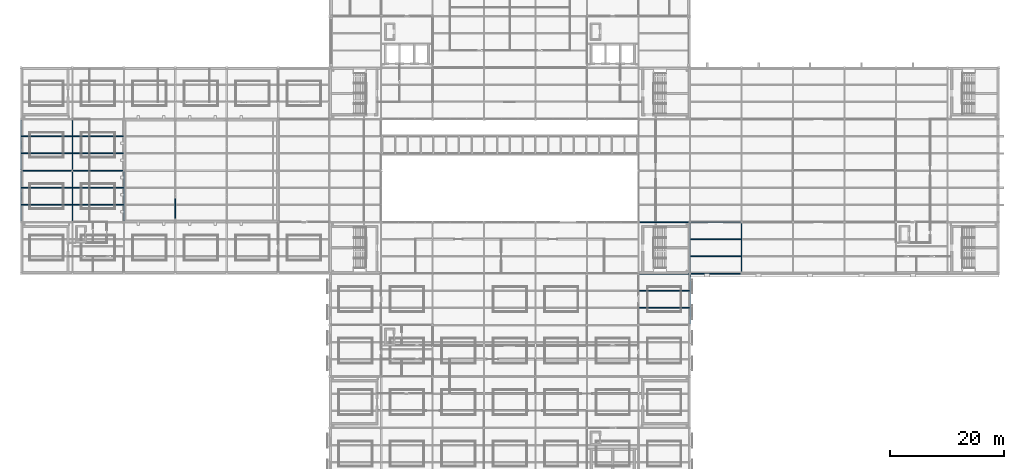
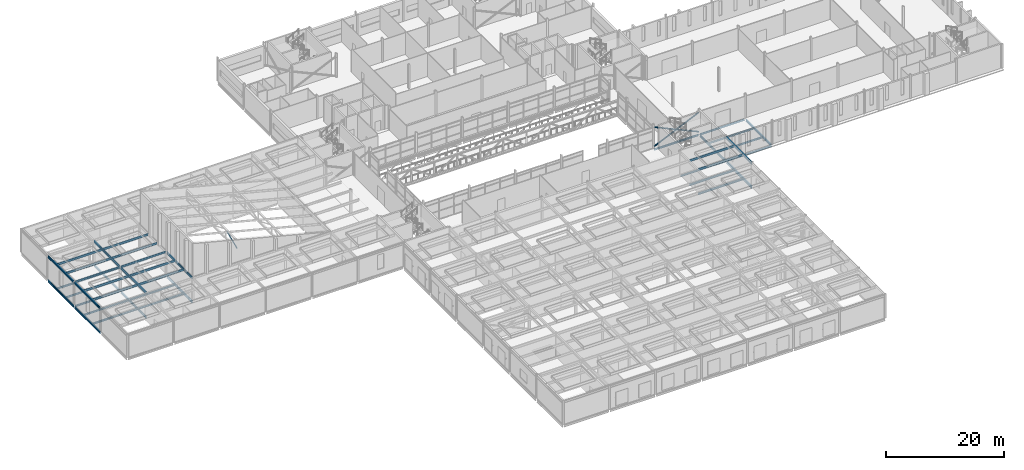
# One storey, part 35 of 115: 44 beams, 3 members.
"""IFC4 building model written with IfcOpenShell, lengths in metres."""

from ifc_helpers import new_model, si_unit, direction, frame, origin, origin_2d, place, context, subcontext, project, spatial, hollow_circle, i_section, extrude, material, material_profile, profile_set, type_object, element, save


model = new_model("IFC4")

# Units and contexts
model_context = context("Model", 3, precision=1e-05, world=origin(), true_north=direction((0.0, 1.0)))
body_context = subcontext(model_context, "Body", "Model", "MODEL_VIEW")
ifc_project = project(units=[si_unit("LENGTHUNIT", "METRE"), si_unit("AREAUNIT", "SQUARE_METRE"), si_unit("VOLUMEUNIT", "CUBIC_METRE"), si_unit("PLANEANGLEUNIT", "RADIAN"), si_unit("MASSUNIT", "GRAM", prefix="KILO")], contexts=[model_context])

# Site, building, storey
site_placement = place(None, origin())
site = spatial("IfcSite", under=ifc_project, at=site_placement, CompositionType="ELEMENT")
building_placement = place(site_placement, origin())
building = spatial("IfcBuilding", under=site, at=building_placement, Name="Shorebreak Coast Museum", CompositionType="ELEMENT")
storey_placement = place(building_placement, frame((0.0, 0.0, 11.0)))
storey = spatial("IfcBuildingStorey", under=building, at=storey_placement, Name="L02", CompositionType="ELEMENT", Elevation=11.0)

# Member
ifc_material_1 = material(Name="Steel Grade C350L0", Category="steel")
ifc_material_profile_1 = material_profile(ifc_material_1, hollow_circle(Radius=0.109619140625, WallThickness=0.00830078125, at=origin_2d()), Name="219.1x8.2 CHS")
ifc_profile_set_1 = profile_set([ifc_material_profile_1], Name="Steel Grade C350L0")
member_type_1 = type_object("IfcMemberType", Name="Auditorium roof truss diagonal 219.1x8.2 CHS", PredefinedType="BRACE", material=ifc_profile_set_1)
member_placement = place(storey_placement, frame((27.0, 63.681640625, 7.244873046875), z_axis=(0.0, 0.919168669938, 0.393864134195), x_axis=(-1.0, 0.0, 0.0)))
element("IfcMember", 1, at=member_placement, inside=storey, type_object=member_type_1, Name="Auditorium roof truss TS1 diagonal D01", PredefinedType="BRACE", context=body_context, shape_type="SweptSolid", body=[
    extrude(hollow_circle(Radius=0.109619140625, WallThickness=0.00830078125, at=origin_2d()), origin(), (0.0, 0.0, 1.0), 3.739013671875),
])

# Beams
ifc_material_2 = material(Name="Steel Grade 300", Category="steel")
ifc_material_profile_2 = material_profile(ifc_material_2, i_section(OverallWidth=0.1708984375, OverallDepth=0.355712890625, WebThickness=0.00732421875, FlangeThickness=0.011474609375, FilletRadius=0.011474609375, at=origin_2d()), Name="360UB50.7")
ifc_profile_set_2 = profile_set([ifc_material_profile_2], Name="Steel Grade 300")
beam_type_1 = type_object("IfcBeamType", Name="Floor girder east-west 360UB50.7", PredefinedType="BEAM", material=ifc_profile_set_2)
beam_1_placement = place(storey_placement, frame((117.14990234375, 54.0, -0.352783203125), z_axis=(1.0, 0.0, 0.0), x_axis=(0.0, 1.0, 0.0)))
element("IfcBeam", 2, at=beam_1_placement, inside=storey, type_object=beam_type_1, Name="Floor girder east-west L02 14G", PredefinedType="BEAM", context=body_context, shape_type="SweptSolid", body=[
    extrude(i_section(OverallWidth=0.1708984375, OverallDepth=0.355712890625, WebThickness=0.00732421875, FlangeThickness=0.011474609375, FilletRadius=0.011474609375, at=origin_2d()), origin(), (0.0, 0.0, 1.0), 8.7001953125),
])
beam_2_placement = place(storey_placement, frame((117.154541015625, 63.0, -0.352783203125), z_axis=(1.0, 0.0, 0.0), x_axis=(0.0, 1.0, 0.0)))
element("IfcBeam", 3, at=beam_2_placement, inside=storey, type_object=beam_type_1, Name="Floor girder east-west L02 14H", PredefinedType="BEAM", context=body_context, shape_type="SweptSolid", body=[
    extrude(i_section(OverallWidth=0.1708984375, OverallDepth=0.355712890625, WebThickness=0.00732421875, FlangeThickness=0.011474609375, FilletRadius=0.011474609375, at=origin_2d()), origin(), (0.0, 0.0, 1.0), 8.69091796875),
])
beam_3_placement = place(storey_placement, frame((0.14990234375, 72.0, -0.352783203125), z_axis=(1.0, 0.0, 0.0), x_axis=(0.0, 1.0, 0.0)))
element("IfcBeam", 4, at=beam_3_placement, inside=storey, type_object=beam_type_1, Name="Floor girder east-west L02 1J", PredefinedType="BEAM", context=body_context, shape_type="SweptSolid", body=[
    extrude(i_section(OverallWidth=0.1708984375, OverallDepth=0.355712890625, WebThickness=0.00732421875, FlangeThickness=0.011474609375, FilletRadius=0.011474609375, at=origin_2d()), origin(), (0.0, 0.0, 1.0), 8.695556640625),
])
beam_4_placement = place(storey_placement, frame((9.154541015625, 72.0, -0.352783203125), z_axis=(1.0, 0.0, 0.0), x_axis=(0.0, 1.0, 0.0)))
element("IfcBeam", 5, at=beam_4_placement, inside=storey, type_object=beam_type_1, Name="Floor girder east-west L02 2J", PredefinedType="BEAM", context=body_context, shape_type="SweptSolid", body=[
    extrude(i_section(OverallWidth=0.1708984375, OverallDepth=0.355712890625, WebThickness=0.00732421875, FlangeThickness=0.011474609375, FilletRadius=0.011474609375, at=origin_2d()), origin(), (0.0, 0.0, 1.0), 8.68994140625),
])
ifc_material_3 = material(Name="Steel Grade 300", Category="steel")
ifc_material_profile_3 = material_profile(ifc_material_3, i_section(OverallWidth=0.172119140625, OverallDepth=0.358642578125, WebThickness=0.008056640625, FlangeThickness=0.012939453125, FilletRadius=0.011474609375, at=origin_2d()), Name="360UB56.7")
ifc_profile_set_3 = profile_set([ifc_material_profile_3], Name="Steel Grade 300")
beam_type_2 = type_object("IfcBeamType", Name="Floor girder east-west 360UB56.7", PredefinedType="BEAM", material=ifc_profile_set_3)
beam_5_placement = place(storey_placement, frame((108.154541015625, 54.0, -0.354248046875), z_axis=(1.0, 0.0, 0.0), x_axis=(0.0, 1.0, 0.0)))
element("IfcBeam", 6, at=beam_5_placement, inside=storey, type_object=beam_type_2, Name="Floor girder east-west L02 13G", PredefinedType="BEAM", context=body_context, shape_type="SweptSolid", body=[
    extrude(i_section(OverallWidth=0.172119140625, OverallDepth=0.358642578125, WebThickness=0.008056640625, FlangeThickness=0.012939453125, FilletRadius=0.011474609375, at=origin_2d()), origin(), (0.0, 0.0, 1.0), 8.695556640625),
])
beam_6_placement = place(storey_placement, frame((108.155517578125, 63.0, -0.354248046875), z_axis=(1.0, 0.0, 0.0), x_axis=(0.0, 1.0, 0.0)))
element("IfcBeam", 7, at=beam_6_placement, inside=storey, type_object=beam_type_2, Name="Floor girder east-west L02 13H", PredefinedType="BEAM", context=body_context, shape_type="SweptSolid", body=[
    extrude(i_section(OverallWidth=0.172119140625, OverallDepth=0.358642578125, WebThickness=0.008056640625, FlangeThickness=0.012939453125, FilletRadius=0.011474609375, at=origin_2d()), origin(), (0.0, 0.0, 1.0), 8.68994140625),
])
ifc_material_4 = material(Name="Steel Grade 300", Category="steel")
ifc_material_profile_4 = material_profile(ifc_material_4, i_section(OverallWidth=0.19091796875, OverallDepth=0.46044921875, WebThickness=0.010009765625, FlangeThickness=0.01611328125, FilletRadius=0.011474609375, at=origin_2d()), Name="460UB82.1")
ifc_profile_set_4 = profile_set([ifc_material_profile_4], Name="Steel Grade 300")
beam_type_3 = type_object("IfcBeamType", Name="Floor girder north-south 460UB82.1", PredefinedType="BEAM", material=ifc_profile_set_4)
for number, where, z_axis, x_axis, name in (
    (8, (117.0, 54.14990234375, -0.4052734375), (0.0, 1.0, 0.0), (-1.0, 0.0, 0.0), "Floor girder north-south L02 14G"),
    (9, (126.0, 54.14990234375, -0.4052734375), (0.0, 1.0, 0.0), (-1.0, 0.0, 0.0), "Floor girder north-south L02 15G"),
):
    element("IfcBeam", number, at=place(storey_placement, frame(where, z_axis=z_axis, x_axis=x_axis)), inside=storey, type_object=beam_type_3, Name=name, PredefinedType="BEAM", context=body_context, shape_type="SweptSolid", body=[
        extrude(i_section(OverallWidth=0.19091796875, OverallDepth=0.46044921875, WebThickness=0.010009765625, FlangeThickness=0.01611328125, FilletRadius=0.011474609375, at=origin_2d()), origin(), (0.0, 0.0, 1.0), 8.689697265625),
    ])
beam_7_placement = place(storey_placement, frame((0.0, 63.14990234375, -0.4052734375), z_axis=(0.0, 1.0, 0.0), x_axis=(-1.0, 0.0, 0.0)))
element("IfcBeam", 10, at=beam_7_placement, inside=storey, type_object=beam_type_3, Name="Floor girder north-south L02 1H", PredefinedType="BEAM", context=body_context, shape_type="SweptSolid", body=[
    extrude(i_section(OverallWidth=0.19091796875, OverallDepth=0.46044921875, WebThickness=0.010009765625, FlangeThickness=0.01611328125, FilletRadius=0.011474609375, at=origin_2d()), origin(), (0.0, 0.0, 1.0), 8.7001953125),
])
beam_8_placement = place(storey_placement, frame((9.0, 63.160400390625, -0.4052734375), z_axis=(0.0, 1.0, 0.0), x_axis=(-1.0, 0.0, 0.0)))
element("IfcBeam", 11, at=beam_8_placement, inside=storey, type_object=beam_type_3, Name="Floor girder north-south L02 2H", PredefinedType="BEAM", context=body_context, shape_type="SweptSolid", body=[
    extrude(i_section(OverallWidth=0.19091796875, OverallDepth=0.46044921875, WebThickness=0.010009765625, FlangeThickness=0.01611328125, FilletRadius=0.011474609375, at=origin_2d()), origin(), (0.0, 0.0, 1.0), 8.67919921875),
])
beam_9_placement = place(storey_placement, frame((18.0, 63.16357421875, -0.4052734375), z_axis=(0.0, 1.0, 0.0), x_axis=(-1.0, 0.0, 0.0)))
element("IfcBeam", 12, at=beam_9_placement, inside=storey, type_object=beam_type_3, Name="Floor girder north-south L02 3H", PredefinedType="BEAM", context=body_context, shape_type="SweptSolid", body=[
    extrude(i_section(OverallWidth=0.19091796875, OverallDepth=0.46044921875, WebThickness=0.010009765625, FlangeThickness=0.01611328125, FilletRadius=0.011474609375, at=origin_2d()), origin(), (0.0, 0.0, 1.0), 8.6728515625),
])
beam_10_placement = place(storey_placement, frame((0.0, 72.14990234375, -0.4052734375), z_axis=(0.0, 1.0, 0.0), x_axis=(-1.0, 0.0, 0.0)))
element("IfcBeam", 13, at=beam_10_placement, inside=storey, type_object=beam_type_3, Name="Floor girder north-south L02 1J", PredefinedType="BEAM", context=body_context, shape_type="SweptSolid", body=[
    extrude(i_section(OverallWidth=0.19091796875, OverallDepth=0.46044921875, WebThickness=0.010009765625, FlangeThickness=0.01611328125, FilletRadius=0.011474609375, at=origin_2d()), origin(), (0.0, 0.0, 1.0), 8.7001953125),
])
beam_11_placement = place(storey_placement, frame((9.0, 72.160400390625, -0.4052734375), z_axis=(0.0, 1.0, 0.0), x_axis=(-1.0, 0.0, 0.0)))
element("IfcBeam", 14, at=beam_11_placement, inside=storey, type_object=beam_type_3, Name="Floor girder north-south L02 2J", PredefinedType="BEAM", context=body_context, shape_type="SweptSolid", body=[
    extrude(i_section(OverallWidth=0.19091796875, OverallDepth=0.46044921875, WebThickness=0.010009765625, FlangeThickness=0.01611328125, FilletRadius=0.011474609375, at=origin_2d()), origin(), (0.0, 0.0, 1.0), 8.67919921875),
])
ifc_material_5 = material(Name="Steel Grade 300", Category="steel")
ifc_material_profile_5 = material_profile(ifc_material_5, i_section(OverallWidth=0.208984375, OverallDepth=0.5283203125, WebThickness=0.009521484375, FlangeThickness=0.01318359375, FilletRadius=0.013916015625, at=origin_2d()), Name="530UB82.0")
ifc_profile_set_5 = profile_set([ifc_material_profile_5], Name="Steel Grade 300")
beam_type_4 = type_object("IfcBeamType", Name="Floor girder north-south 530UB82.0", PredefinedType="BEAM", material=ifc_profile_set_5)
beam_12_placement = place(storey_placement, frame((117.0, 45.14990234375, -0.439208984375), z_axis=(0.0, 1.0, 0.0), x_axis=(-1.0, 0.0, 0.0)))
element("IfcBeam", 15, at=beam_12_placement, inside=storey, type_object=beam_type_4, Name="Floor girder north-south L02 14F", PredefinedType="BEAM", context=body_context, shape_type="SweptSolid", body=[
    extrude(i_section(OverallWidth=0.208984375, OverallDepth=0.5283203125, WebThickness=0.009521484375, FlangeThickness=0.01318359375, FilletRadius=0.013916015625, at=origin_2d()), origin(), (0.0, 0.0, 1.0), 8.7001953125),
])
ifc_material_6 = material(Name="Steel Grade 300", Category="steel")
ifc_material_profile_6 = material_profile(ifc_material_6, i_section(OverallWidth=0.1708984375, OverallDepth=0.355712890625, WebThickness=0.00732421875, FlangeThickness=0.011474609375, FilletRadius=0.011474609375, at=origin_2d()), Name="360UB50.7")
ifc_profile_set_6 = profile_set([ifc_material_profile_6], Name="Steel Grade 300")
beam_type_5 = type_object("IfcBeamType", Name="Floor joist 360UB50.7", PredefinedType="JOIST", material=ifc_profile_set_6)
for number, where, z_axis, x_axis, name in (
    (16, (117.095458984375, 57.0, -0.352783203125), (1.0, 0.0, 0.0), (0.0, 1.0, 0.0), "Floor joist L02 bay 14G at 3000 mm"),
    (17, (117.095458984375, 60.0, -0.352783203125), (1.0, 0.0, 0.0), (0.0, 1.0, 0.0), "Floor joist L02 bay 14G at 6000 mm"),
    (18, (0.095458984375, 66.0, -0.352783203125), (1.0, 0.0, 0.0), (0.0, 1.0, 0.0), "Floor joist L02 bay 1H at 3000 mm"),
    (19, (0.095458984375, 69.0, -0.352783203125), (1.0, 0.0, 0.0), (0.0, 1.0, 0.0), "Floor joist L02 bay 1H at 6000 mm"),
    (20, (9.095458984375, 66.0, -0.352783203125), (1.0, 0.0, 0.0), (0.0, 1.0, 0.0), "Floor joist L02 bay 2H at 3000 mm"),
    (21, (9.095458984375, 69.0, -0.352783203125), (1.0, 0.0, 0.0), (0.0, 1.0, 0.0), "Floor joist L02 bay 2H at 6000 mm"),
    (22, (0.095458984375, 75.0, -0.352783203125), (1.0, 0.0, 0.0), (0.0, 1.0, 0.0), "Floor joist L02 bay 1J at 3000 mm"),
    (23, (0.095458984375, 78.0, -0.352783203125), (1.0, 0.0, 0.0), (0.0, 1.0, 0.0), "Floor joist L02 bay 1J at 6000 mm"),
    (24, (9.095458984375, 75.0, -0.352783203125), (1.0, 0.0, 0.0), (0.0, 1.0, 0.0), "Floor joist L02 bay 2J at 3000 mm"),
    (25, (9.095458984375, 78.0, -0.352783203125), (1.0, 0.0, 0.0), (0.0, 1.0, 0.0), "Floor joist L02 bay 2J at 6000 mm"),
):
    element("IfcBeam", number, at=place(storey_placement, frame(where, z_axis=z_axis, x_axis=x_axis)), inside=storey, type_object=beam_type_5, Name=name, PredefinedType="JOIST", context=body_context, shape_type="SweptSolid", body=[
        extrude(i_section(OverallWidth=0.1708984375, OverallDepth=0.355712890625, WebThickness=0.00732421875, FlangeThickness=0.011474609375, FilletRadius=0.011474609375, at=origin_2d()), origin(), (0.0, 0.0, 1.0), 8.80908203125),
    ])
ifc_material_7 = material(Name="Steel Grade 300", Category="steel")
ifc_material_profile_7 = material_profile(ifc_material_7, i_section(OverallWidth=0.177978515625, OverallDepth=0.406494140625, WebThickness=0.0078125, FlangeThickness=0.0126953125, FilletRadius=0.011474609375, at=origin_2d()), Name="410UB59.7")
ifc_profile_set_7 = profile_set([ifc_material_profile_7], Name="Steel Grade 300")
beam_type_6 = type_object("IfcBeamType", Name="Floor joist 410UB59.7", PredefinedType="JOIST", material=ifc_profile_set_7)
for number, where, z_axis, x_axis, name in (
    (26, (108.1044921875, 48.0, -0.378173828125), (1.0, 0.0, 0.0), (0.0, 1.0, 0.0), "Floor joist L02 bay 13F at 3000 mm"),
    (27, (108.1044921875, 51.0, -0.378173828125), (1.0, 0.0, 0.0), (0.0, 1.0, 0.0), "Floor joist L02 bay 13F at 6000 mm"),
):
    element("IfcBeam", number, at=place(storey_placement, frame(where, z_axis=z_axis, x_axis=x_axis)), inside=storey, type_object=beam_type_6, Name=name, PredefinedType="JOIST", context=body_context, shape_type="SweptSolid", body=[
        extrude(i_section(OverallWidth=0.177978515625, OverallDepth=0.406494140625, WebThickness=0.0078125, FlangeThickness=0.0126953125, FilletRadius=0.011474609375, at=origin_2d()), origin(), (0.0, 0.0, 1.0), 8.791015625),
    ])
ifc_material_8 = material(Name="Steel Grade 300", Category="steel")
ifc_material_profile_8 = material_profile(ifc_material_8, i_section(OverallWidth=0.1708984375, OverallDepth=0.355712890625, WebThickness=0.00732421875, FlangeThickness=0.011474609375, FilletRadius=0.011474609375, at=origin_2d()), Name="360UB50.7")
ifc_profile_set_8 = profile_set([ifc_material_profile_8], Name="Steel Grade 300")
beam_type_7 = type_object("IfcBeamType", Name="Roof deck girder east-west 360UB50.7", PredefinedType="BEAM", material=ifc_profile_set_8)
beam_13_placement = place(storey_placement, frame((0.14990234375, 72.0, 4.647216796875), z_axis=(1.0, 0.0, 0.0), x_axis=(0.0, 1.0, 0.0)))
element("IfcBeam", 28, at=beam_13_placement, inside=storey, type_object=beam_type_7, Name="Roof deck girder east-west L03 1J", PredefinedType="BEAM", context=body_context, shape_type="SweptSolid", body=[
    extrude(i_section(OverallWidth=0.1708984375, OverallDepth=0.355712890625, WebThickness=0.00732421875, FlangeThickness=0.011474609375, FilletRadius=0.011474609375, at=origin_2d()), origin(), (0.0, 0.0, 1.0), 8.696533203125),
])
beam_14_placement = place(storey_placement, frame((9.153564453125, 72.0, 4.647216796875), z_axis=(1.0, 0.0, 0.0), x_axis=(0.0, 1.0, 0.0)))
element("IfcBeam", 29, at=beam_14_placement, inside=storey, type_object=beam_type_7, Name="Roof deck girder east-west L03 2J", PredefinedType="BEAM", context=body_context, shape_type="SweptSolid", body=[
    extrude(i_section(OverallWidth=0.1708984375, OverallDepth=0.355712890625, WebThickness=0.00732421875, FlangeThickness=0.011474609375, FilletRadius=0.011474609375, at=origin_2d()), origin(), (0.0, 0.0, 1.0), 8.69091796875),
])
ifc_material_9 = material(Name="Steel Grade 300", Category="steel")
ifc_material_profile_9 = material_profile(ifc_material_9, i_section(OverallWidth=0.18994140625, OverallDepth=0.453857421875, WebThickness=0.008544921875, FlangeThickness=0.0126953125, FilletRadius=0.011474609375, at=origin_2d()), Name="460UB67.1")
ifc_profile_set_9 = profile_set([ifc_material_profile_9], Name="Steel Grade 300")
beam_type_8 = type_object("IfcBeamType", Name="Roof deck girder north-south 460UB67.1", PredefinedType="BEAM", material=ifc_profile_set_9)
beam_15_placement = place(storey_placement, frame((0.0, 63.14990234375, 4.59814453125), z_axis=(0.0, 1.0, 0.0), x_axis=(-1.0, 0.0, 0.0)))
element("IfcBeam", 30, at=beam_15_placement, inside=storey, type_object=beam_type_8, Name="Roof deck girder north-south L03 1H", PredefinedType="BEAM", context=body_context, shape_type="SweptSolid", body=[
    extrude(i_section(OverallWidth=0.18994140625, OverallDepth=0.453857421875, WebThickness=0.008544921875, FlangeThickness=0.0126953125, FilletRadius=0.011474609375, at=origin_2d()), origin(), (0.0, 0.0, 1.0), 8.7001953125),
])
beam_16_placement = place(storey_placement, frame((9.0, 63.1572265625, 4.59814453125), z_axis=(0.0, 1.0, 0.0), x_axis=(-1.0, 0.0, 0.0)))
element("IfcBeam", 31, at=beam_16_placement, inside=storey, type_object=beam_type_8, Name="Roof deck girder north-south L03 2H", PredefinedType="BEAM", context=body_context, shape_type="SweptSolid", body=[
    extrude(i_section(OverallWidth=0.18994140625, OverallDepth=0.453857421875, WebThickness=0.008544921875, FlangeThickness=0.0126953125, FilletRadius=0.011474609375, at=origin_2d()), origin(), (0.0, 0.0, 1.0), 8.685546875),
])
beam_17_placement = place(storey_placement, frame((18.0, 63.16357421875, 4.59814453125), z_axis=(0.0, 1.0, 0.0), x_axis=(-1.0, 0.0, 0.0)))
element("IfcBeam", 32, at=beam_17_placement, inside=storey, type_object=beam_type_8, Name="Roof deck girder north-south L03 3H", PredefinedType="BEAM", context=body_context, shape_type="SweptSolid", body=[
    extrude(i_section(OverallWidth=0.18994140625, OverallDepth=0.453857421875, WebThickness=0.008544921875, FlangeThickness=0.0126953125, FilletRadius=0.011474609375, at=origin_2d()), origin(), (0.0, 0.0, 1.0), 8.6728515625),
])
beam_18_placement = place(storey_placement, frame((0.0, 72.14990234375, 4.59814453125), z_axis=(0.0, 1.0, 0.0), x_axis=(-1.0, 0.0, 0.0)))
element("IfcBeam", 33, at=beam_18_placement, inside=storey, type_object=beam_type_8, Name="Roof deck girder north-south L03 1J", PredefinedType="BEAM", context=body_context, shape_type="SweptSolid", body=[
    extrude(i_section(OverallWidth=0.18994140625, OverallDepth=0.453857421875, WebThickness=0.008544921875, FlangeThickness=0.0126953125, FilletRadius=0.011474609375, at=origin_2d()), origin(), (0.0, 0.0, 1.0), 8.7001953125),
])
beam_19_placement = place(storey_placement, frame((9.0, 72.1572265625, 4.59814453125), z_axis=(0.0, 1.0, 0.0), x_axis=(-1.0, 0.0, 0.0)))
element("IfcBeam", 34, at=beam_19_placement, inside=storey, type_object=beam_type_8, Name="Roof deck girder north-south L03 2J", PredefinedType="BEAM", context=body_context, shape_type="SweptSolid", body=[
    extrude(i_section(OverallWidth=0.18994140625, OverallDepth=0.453857421875, WebThickness=0.008544921875, FlangeThickness=0.0126953125, FilletRadius=0.011474609375, at=origin_2d()), origin(), (0.0, 0.0, 1.0), 8.685546875),
])
ifc_material_10 = material(Name="Steel Grade 300", Category="steel")
ifc_material_profile_10 = material_profile(ifc_material_10, i_section(OverallWidth=0.208984375, OverallDepth=0.5283203125, WebThickness=0.009521484375, FlangeThickness=0.01318359375, FilletRadius=0.013916015625, at=origin_2d()), Name="530UB82.0")
ifc_profile_set_10 = profile_set([ifc_material_profile_10], Name="Steel Grade 300")
beam_type_9 = type_object("IfcBeamType", Name="Roof deck girder north-south 530UB82.0", PredefinedType="BEAM", material=ifc_profile_set_10)
beam_20_placement = place(storey_placement, frame((117.0, 45.14990234375, 4.560791015625), z_axis=(0.0, 1.0, 0.0), x_axis=(-1.0, 0.0, 0.0)))
element("IfcBeam", 35, at=beam_20_placement, inside=storey, type_object=beam_type_9, Name="Roof deck girder north-south L03 14F", PredefinedType="BEAM", context=body_context, shape_type="SweptSolid", body=[
    extrude(i_section(OverallWidth=0.208984375, OverallDepth=0.5283203125, WebThickness=0.009521484375, FlangeThickness=0.01318359375, FilletRadius=0.013916015625, at=origin_2d()), origin(), (0.0, 0.0, 1.0), 8.7001953125),
])
ifc_material_11 = material(Name="Steel Grade 300", Category="steel")
ifc_material_profile_11 = material_profile(ifc_material_11, i_section(OverallWidth=0.177978515625, OverallDepth=0.402587890625, WebThickness=0.007568359375, FlangeThickness=0.010986328125, FilletRadius=0.011474609375, at=origin_2d()), Name="410UB53.7")
ifc_profile_set_11 = profile_set([ifc_material_profile_11], Name="Steel Grade 300")
beam_type_10 = type_object("IfcBeamType", Name="Roof deck joist 410UB53.7", PredefinedType="JOIST", material=ifc_profile_set_11)
for number, where, z_axis, x_axis, name in (
    (36, (108.1044921875, 48.0, 4.623779296875), (1.0, 0.0, 0.0), (0.0, 1.0, 0.0), "Roof deck joist L03 bay 13F at 3000 mm"),
    (37, (108.1044921875, 51.0, 4.623779296875), (1.0, 0.0, 0.0), (0.0, 1.0, 0.0), "Roof deck joist L03 bay 13F at 6000 mm"),
):
    element("IfcBeam", number, at=place(storey_placement, frame(where, z_axis=z_axis, x_axis=x_axis)), inside=storey, type_object=beam_type_10, Name=name, PredefinedType="JOIST", context=body_context, shape_type="SweptSolid", body=[
        extrude(i_section(OverallWidth=0.177978515625, OverallDepth=0.402587890625, WebThickness=0.007568359375, FlangeThickness=0.010986328125, FilletRadius=0.011474609375, at=origin_2d()), origin(), (0.0, 0.0, 1.0), 8.791015625),
    ])
for number, where, z_axis, x_axis, name in (
    (38, (0.094970703125, 66.0, 4.623779296875), (1.0, 0.0, 0.0), (0.0, 1.0, 0.0), "Roof deck joist L03 bay 1H at 3000 mm"),
    (39, (0.094970703125, 69.0, 4.623779296875), (1.0, 0.0, 0.0), (0.0, 1.0, 0.0), "Roof deck joist L03 bay 1H at 6000 mm"),
    (40, (9.094970703125, 66.0, 4.623779296875), (1.0, 0.0, 0.0), (0.0, 1.0, 0.0), "Roof deck joist L03 bay 2H at 3000 mm"),
    (41, (9.094970703125, 69.0, 4.623779296875), (1.0, 0.0, 0.0), (0.0, 1.0, 0.0), "Roof deck joist L03 bay 2H at 6000 mm"),
    (42, (0.094970703125, 75.0, 4.623779296875), (1.0, 0.0, 0.0), (0.0, 1.0, 0.0), "Roof deck joist L03 bay 1J at 3000 mm"),
    (43, (0.094970703125, 78.0, 4.623779296875), (1.0, 0.0, 0.0), (0.0, 1.0, 0.0), "Roof deck joist L03 bay 1J at 6000 mm"),
    (44, (9.094970703125, 75.0, 4.623779296875), (1.0, 0.0, 0.0), (0.0, 1.0, 0.0), "Roof deck joist L03 bay 2J at 3000 mm"),
    (45, (9.094970703125, 78.0, 4.623779296875), (1.0, 0.0, 0.0), (0.0, 1.0, 0.0), "Roof deck joist L03 bay 2J at 6000 mm"),
):
    element("IfcBeam", number, at=place(storey_placement, frame(where, z_axis=z_axis, x_axis=x_axis)), inside=storey, type_object=beam_type_10, Name=name, PredefinedType="JOIST", context=body_context, shape_type="SweptSolid", body=[
        extrude(i_section(OverallWidth=0.177978515625, OverallDepth=0.402587890625, WebThickness=0.007568359375, FlangeThickness=0.010986328125, FilletRadius=0.011474609375, at=origin_2d()), origin(), (0.0, 0.0, 1.0), 8.81005859375),
    ])

# Members
ifc_material_12 = material(Name="Steel Grade C350L0", Category="steel")
ifc_material_profile_12 = material_profile(ifc_material_12, hollow_circle(Radius=0.136474609375, WallThickness=0.00927734375, at=origin_2d()), Name="273.1x9.3 CHS")
ifc_profile_set_12 = profile_set([ifc_material_profile_12], Name="Steel Grade C350L0")
member_type_2 = type_object("IfcMemberType", Name="X-brace 273.1x9.3 CHS", PredefinedType="BRACE", material=ifc_profile_set_12)
for number, where, z_axis, x_axis, name in (
    (46, (108.155517578125, 63.0, 0.300048828125), (0.90940077175, 0.0, 0.415920949628), (0.0, 1.0, 0.0), "X-brace bay 02 L02 diagonal 1"),
    (47, (116.846435546875, 63.0, 0.300048828125), (-0.90940077175, 0.0, 0.415920949628), (0.0, -1.0, 0.0), "X-brace bay 02 L02 diagonal 2"),
):
    element("IfcMember", number, at=place(storey_placement, frame(where, z_axis=z_axis, x_axis=x_axis)), inside=storey, type_object=member_type_2, Name=name, PredefinedType="BRACE", context=body_context, shape_type="SweptSolid", body=[
        extrude(hollow_circle(Radius=0.136474609375, WallThickness=0.00927734375, at=origin_2d()), origin(), (0.0, 0.0, 1.0), 9.556640625),
    ])

save(model, "model.ifc")
